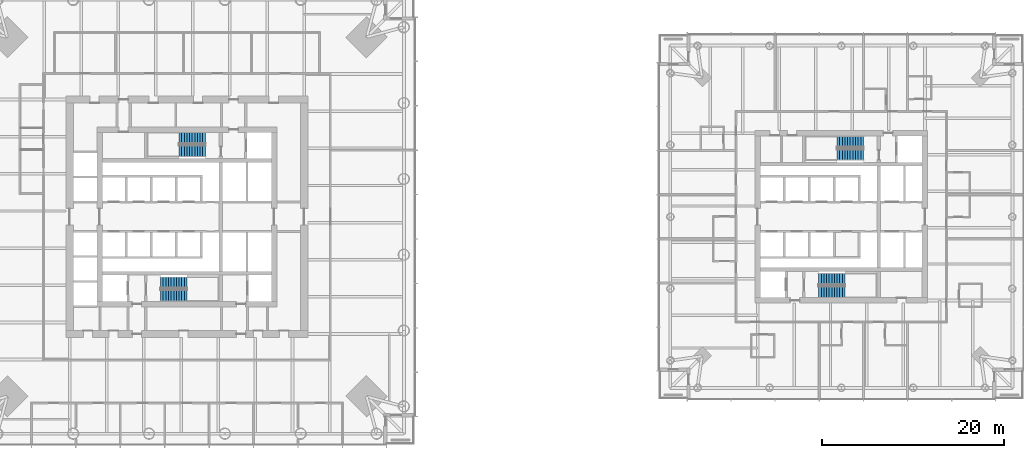
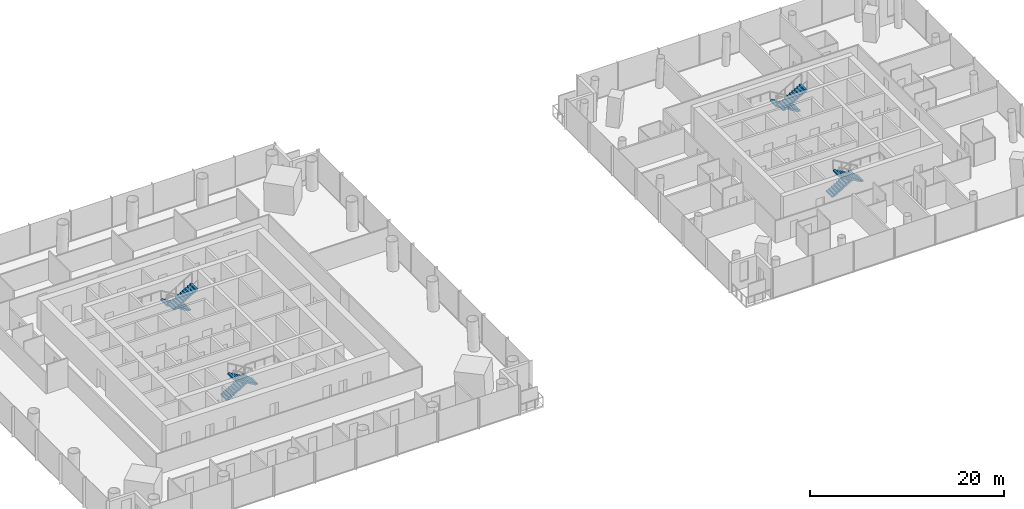
# One storey, part 17 of 19: 8 stair flights, 4 elements without a shape of their own.
"""IFC4 building model written with IfcOpenShell, lengths in metres."""

from ifc_helpers import new_model, si_unit, direction, frame, origin, place, context, subcontext, project, spatial, polyline, outline, extrude, material, type_object, element, aggregate, save


model = new_model("IFC4")

# Units and contexts
model_context = context("Model", 3, precision=1e-05, world=origin(), true_north=direction((0.0, 1.0)))
body_context = subcontext(model_context, "Body", "Model", "MODEL_VIEW")
ifc_project = project(units=[si_unit("LENGTHUNIT", "METRE"), si_unit("AREAUNIT", "SQUARE_METRE"), si_unit("VOLUMEUNIT", "CUBIC_METRE"), si_unit("PLANEANGLEUNIT", "RADIAN"), si_unit("MASSUNIT", "GRAM", prefix="KILO")], contexts=[model_context])

# Site, building, storey
site_placement = place(None, origin())
site = spatial("IfcSite", under=ifc_project, at=site_placement, CompositionType="ELEMENT")
building_placement = place(site_placement, origin())
building = spatial("IfcBuilding", under=site, at=building_placement, Name="Ostroluk Exchange", CompositionType="ELEMENT")
storey_placement = place(building_placement, frame((0.0, 0.0, 24.800048828125)))
storey = spatial("IfcBuildingStorey", under=building, at=storey_placement, Name="L05", CompositionType="ELEMENT", Elevation=24.800048828125)

# Stair, stair flights
ifc_material_1 = material(Name="Concrete C30/37", Category="concrete")
stair_type = type_object("IfcStairType", Name="Exit stair half turn 3800", PredefinedType="HALF_TURN_STAIR", material=ifc_material_1)
stair_1_placement = place(storey_placement, origin())
stair_1 = element("IfcStair", 1, at=stair_1_placement, inside=storey, type_object=stair_type, Name="Stair T1-S1 L05", PredefinedType="HALF_TURN_STAIR")
ifc_material_2 = material(Name="Concrete C30/37", Category="concrete")
stair_flight_type = type_object("IfcStairFlightType", Name="Stair flight 11 risers 172.7 x 290", PredefinedType="STRAIGHT", material=ifc_material_2)
stair_flight_1_placement = place(storey_placement, frame((42.10009765625, 38.77490234375, 0.0), z_axis=(0.0, 0.0, 1.0), x_axis=(1.0, 0.0, 0.0)))
stair_flight_1 = element("IfcStairFlight", 2, at=stair_flight_1_placement, type_object=stair_flight_type, Name="T1-S1 flight 1", NumberOfRisers=11, NumberOfTreads=10, PredefinedType="STRAIGHT", RiserHeight=0.172727273, TreadLength=0.29, context=body_context, shape_type="SweptSolid", body=[
    extrude(outline(polyline([(0.0, 0.0), (0.0, 0.172607421875), (0.2900390625, 0.172607421875), (0.2900390625, 0.345458984375), (0.580078125, 0.345458984375), (0.580078125, 0.51806640625), (0.8701171875, 0.51806640625), (0.8701171875, 0.69091796875), (1.159912109375, 0.69091796875), (1.159912109375, 0.863525390625), (1.449951171875, 0.863525390625), (1.449951171875, 1.036376953125), (1.739990234375, 1.036376953125), (1.739990234375, 1.208984375), (2.030029296875, 1.208984375), (2.030029296875, 1.3818359375), (2.320068359375, 1.3818359375), (2.320068359375, 1.554443359375), (2.610107421875, 1.554443359375), (2.610107421875, 1.727294921875), (2.89990234375, 1.727294921875), (2.89990234375, 1.89990234375), (2.89990234375, 1.552734375), (0.29296875, 0.0), (0.0, 0.0)])), frame((0.0, 0.625, 0.0), z_axis=(0.0, -1.0, 0.0), x_axis=(1.0, 0.0, 0.0)), (0.0, 0.0, 1.0), 1.25),
])
stair_flight_2_placement = place(storey_placement, frame((45.0, 37.324951171875, 1.89990234375), z_axis=(0.0, 0.0, 1.0), x_axis=(-1.0, 0.0, 0.0)))
stair_flight_2 = element("IfcStairFlight", 3, at=stair_flight_2_placement, type_object=stair_flight_type, Name="T1-S1 flight 2", NumberOfRisers=11, NumberOfTreads=10, PredefinedType="STRAIGHT", RiserHeight=0.172727273, TreadLength=0.29, context=body_context, shape_type="SweptSolid", body=[
    extrude(outline(polyline([(0.0, 0.0), (0.0, 0.172607421875), (0.2900390625, 0.172607421875), (0.2900390625, 0.345458984375), (0.580078125, 0.345458984375), (0.580078125, 0.51806640625), (0.8701171875, 0.51806640625), (0.8701171875, 0.69091796875), (1.159912109375, 0.69091796875), (1.159912109375, 0.863525390625), (1.449951171875, 0.863525390625), (1.449951171875, 1.036376953125), (1.739990234375, 1.036376953125), (1.739990234375, 1.208984375), (2.030029296875, 1.208984375), (2.030029296875, 1.3818359375), (2.320068359375, 1.3818359375), (2.320068359375, 1.554443359375), (2.610107421875, 1.554443359375), (2.610107421875, 1.727294921875), (2.89990234375, 1.727294921875), (2.89990234375, 1.89990234375), (2.89990234375, 1.552734375), (0.29296875, 0.0), (0.0, 0.0)])), frame((0.0, 0.625, 0.0), z_axis=(0.0, -1.0, 0.0), x_axis=(1.0, 0.0, 0.0)), (0.0, 0.0, 1.0), 1.25),
])
aggregate(stair_1, [stair_flight_1, stair_flight_2])

stair_2_placement = place(storey_placement, origin())
stair_2 = element("IfcStair", 4, at=stair_2_placement, inside=storey, type_object=stair_type, Name="Stair T1-S2 L05", PredefinedType="HALF_TURN_STAIR")
stair_flight_3_placement = place(storey_placement, frame((47.030029296875, 54.675048828125, 0.0), z_axis=(0.0, 0.0, 1.0), x_axis=(-1.0, 0.0, 0.0)))
stair_flight_3 = element("IfcStairFlight", 5, at=stair_flight_3_placement, type_object=stair_flight_type, Name="T1-S2 flight 1", NumberOfRisers=11, NumberOfTreads=10, PredefinedType="STRAIGHT", RiserHeight=0.172727273, TreadLength=0.29, context=body_context, shape_type="SweptSolid", body=[
    extrude(outline(polyline([(0.0, 0.0), (0.0, 0.172607421875), (0.2900390625, 0.172607421875), (0.2900390625, 0.345458984375), (0.580078125, 0.345458984375), (0.580078125, 0.51806640625), (0.8701171875, 0.51806640625), (0.8701171875, 0.69091796875), (1.159912109375, 0.69091796875), (1.159912109375, 0.863525390625), (1.449951171875, 0.863525390625), (1.449951171875, 1.036376953125), (1.739990234375, 1.036376953125), (1.739990234375, 1.208984375), (2.030029296875, 1.208984375), (2.030029296875, 1.3818359375), (2.320068359375, 1.3818359375), (2.320068359375, 1.554443359375), (2.610107421875, 1.554443359375), (2.610107421875, 1.727294921875), (2.89990234375, 1.727294921875), (2.89990234375, 1.89990234375), (2.89990234375, 1.552734375), (0.29296875, 0.0), (0.0, 0.0)])), frame((0.0, 0.625, 0.0), z_axis=(0.0, -1.0, 0.0), x_axis=(1.0, 0.0, 0.0)), (0.0, 0.0, 1.0), 1.25),
])
stair_flight_4_placement = place(storey_placement, frame((44.1298828125, 53.22509765625, 1.89990234375), z_axis=(0.0, 0.0, 1.0), x_axis=(1.0, 0.0, 0.0)))
stair_flight_4 = element("IfcStairFlight", 6, at=stair_flight_4_placement, type_object=stair_flight_type, Name="T1-S2 flight 2", NumberOfRisers=11, NumberOfTreads=10, PredefinedType="STRAIGHT", RiserHeight=0.172727273, TreadLength=0.29, context=body_context, shape_type="SweptSolid", body=[
    extrude(outline(polyline([(0.0, 0.0), (0.0, 0.172607421875), (0.2900390625, 0.172607421875), (0.2900390625, 0.345458984375), (0.580078125, 0.345458984375), (0.580078125, 0.51806640625), (0.8701171875, 0.51806640625), (0.8701171875, 0.69091796875), (1.159912109375, 0.69091796875), (1.159912109375, 0.863525390625), (1.449951171875, 0.863525390625), (1.449951171875, 1.036376953125), (1.739990234375, 1.036376953125), (1.739990234375, 1.208984375), (2.030029296875, 1.208984375), (2.030029296875, 1.3818359375), (2.320068359375, 1.3818359375), (2.320068359375, 1.554443359375), (2.610107421875, 1.554443359375), (2.610107421875, 1.727294921875), (2.89990234375, 1.727294921875), (2.89990234375, 1.89990234375), (2.89990234375, 1.552734375), (0.29296875, 0.0), (0.0, 0.0)])), frame((0.0, 0.625, 0.0), z_axis=(0.0, -1.0, 0.0), x_axis=(1.0, 0.0, 0.0)), (0.0, 0.0, 1.0), 1.25),
])
aggregate(stair_2, [stair_flight_3, stair_flight_4])

stair_3_placement = place(storey_placement, origin())
stair_3 = element("IfcStair", 7, at=stair_3_placement, inside=storey, type_object=stair_type, Name="Stair T2-S1 L05", PredefinedType="HALF_TURN_STAIR")
stair_flight_5_placement = place(storey_placement, frame((114.5, 39.175048828125, 0.0), z_axis=(0.0, 0.0, 1.0), x_axis=(1.0, 0.0, 0.0)))
stair_flight_5 = element("IfcStairFlight", 8, at=stair_flight_5_placement, type_object=stair_flight_type, Name="T2-S1 flight 1", NumberOfRisers=11, NumberOfTreads=10, PredefinedType="STRAIGHT", RiserHeight=0.172727273, TreadLength=0.29, context=body_context, shape_type="SweptSolid", body=[
    extrude(outline(polyline([(0.0, 0.0), (0.0, 0.172607421875), (0.2900390625, 0.172607421875), (0.2900390625, 0.345458984375), (0.580078125, 0.345458984375), (0.580078125, 0.51806640625), (0.8701171875, 0.51806640625), (0.8701171875, 0.69091796875), (1.159912109375, 0.69091796875), (1.159912109375, 0.863525390625), (1.449951171875, 0.863525390625), (1.449951171875, 1.036376953125), (1.739990234375, 1.036376953125), (1.739990234375, 1.208984375), (2.030029296875, 1.208984375), (2.030029296875, 1.3818359375), (2.320068359375, 1.3818359375), (2.320068359375, 1.554443359375), (2.610107421875, 1.554443359375), (2.610107421875, 1.727294921875), (2.89990234375, 1.727294921875), (2.89990234375, 1.89990234375), (2.89990234375, 1.552734375), (0.29296875, 0.0), (0.0, 0.0)])), frame((0.0, 0.625, 0.0), z_axis=(0.0, -1.0, 0.0), x_axis=(1.0, 0.0, 0.0)), (0.0, 0.0, 1.0), 1.25),
])
stair_flight_6_placement = place(storey_placement, frame((117.39990234375, 37.72509765625, 1.89990234375), z_axis=(0.0, 0.0, 1.0), x_axis=(-1.0, 0.0, 0.0)))
stair_flight_6 = element("IfcStairFlight", 9, at=stair_flight_6_placement, type_object=stair_flight_type, Name="T2-S1 flight 2", NumberOfRisers=11, NumberOfTreads=10, PredefinedType="STRAIGHT", RiserHeight=0.172727273, TreadLength=0.29, context=body_context, shape_type="SweptSolid", body=[
    extrude(outline(polyline([(0.0, 0.0), (0.0, 0.172607421875), (0.2900390625, 0.172607421875), (0.2900390625, 0.345458984375), (0.580078125, 0.345458984375), (0.580078125, 0.51806640625), (0.8701171875, 0.51806640625), (0.8701171875, 0.69091796875), (1.159912109375, 0.69091796875), (1.159912109375, 0.863525390625), (1.449951171875, 0.863525390625), (1.449951171875, 1.036376953125), (1.739990234375, 1.036376953125), (1.739990234375, 1.208984375), (2.030029296875, 1.208984375), (2.030029296875, 1.3818359375), (2.320068359375, 1.3818359375), (2.320068359375, 1.554443359375), (2.610107421875, 1.554443359375), (2.610107421875, 1.727294921875), (2.89990234375, 1.727294921875), (2.89990234375, 1.89990234375), (2.89990234375, 1.552734375), (0.29296875, 0.0), (0.0, 0.0)])), frame((0.0, 0.625, 0.0), z_axis=(0.0, -1.0, 0.0), x_axis=(1.0, 0.0, 0.0)), (0.0, 0.0, 1.0), 1.25),
])
aggregate(stair_3, [stair_flight_5, stair_flight_6])

stair_4_placement = place(storey_placement, origin())
stair_4 = element("IfcStair", 10, at=stair_4_placement, inside=storey, type_object=stair_type, Name="Stair T2-S2 L05", PredefinedType="HALF_TURN_STAIR")
stair_flight_7_placement = place(storey_placement, frame((119.429931640625, 54.27490234375, 0.0), z_axis=(0.0, 0.0, 1.0), x_axis=(-1.0, 0.0, 0.0)))
stair_flight_7 = element("IfcStairFlight", 11, at=stair_flight_7_placement, type_object=stair_flight_type, Name="T2-S2 flight 1", NumberOfRisers=11, NumberOfTreads=10, PredefinedType="STRAIGHT", RiserHeight=0.172727273, TreadLength=0.29, context=body_context, shape_type="SweptSolid", body=[
    extrude(outline(polyline([(0.0, 0.0), (0.0, 0.172607421875), (0.2900390625, 0.172607421875), (0.2900390625, 0.345458984375), (0.580078125, 0.345458984375), (0.580078125, 0.51806640625), (0.8701171875, 0.51806640625), (0.8701171875, 0.69091796875), (1.159912109375, 0.69091796875), (1.159912109375, 0.863525390625), (1.449951171875, 0.863525390625), (1.449951171875, 1.036376953125), (1.739990234375, 1.036376953125), (1.739990234375, 1.208984375), (2.030029296875, 1.208984375), (2.030029296875, 1.3818359375), (2.320068359375, 1.3818359375), (2.320068359375, 1.554443359375), (2.610107421875, 1.554443359375), (2.610107421875, 1.727294921875), (2.89990234375, 1.727294921875), (2.89990234375, 1.89990234375), (2.89990234375, 1.552734375), (0.29296875, 0.0), (0.0, 0.0)])), frame((0.0, 0.625, 0.0), z_axis=(0.0, -1.0, 0.0), x_axis=(1.0, 0.0, 0.0)), (0.0, 0.0, 1.0), 1.25),
])
stair_flight_8_placement = place(storey_placement, frame((116.530029296875, 52.824951171875, 1.89990234375), z_axis=(0.0, 0.0, 1.0), x_axis=(1.0, 0.0, 0.0)))
stair_flight_8 = element("IfcStairFlight", 12, at=stair_flight_8_placement, type_object=stair_flight_type, Name="T2-S2 flight 2", NumberOfRisers=11, NumberOfTreads=10, PredefinedType="STRAIGHT", RiserHeight=0.172727273, TreadLength=0.29, context=body_context, shape_type="SweptSolid", body=[
    extrude(outline(polyline([(0.0, 0.0), (0.0, 0.172607421875), (0.2900390625, 0.172607421875), (0.2900390625, 0.345458984375), (0.580078125, 0.345458984375), (0.580078125, 0.51806640625), (0.8701171875, 0.51806640625), (0.8701171875, 0.69091796875), (1.159912109375, 0.69091796875), (1.159912109375, 0.863525390625), (1.449951171875, 0.863525390625), (1.449951171875, 1.036376953125), (1.739990234375, 1.036376953125), (1.739990234375, 1.208984375), (2.030029296875, 1.208984375), (2.030029296875, 1.3818359375), (2.320068359375, 1.3818359375), (2.320068359375, 1.554443359375), (2.610107421875, 1.554443359375), (2.610107421875, 1.727294921875), (2.89990234375, 1.727294921875), (2.89990234375, 1.89990234375), (2.89990234375, 1.552734375), (0.29296875, 0.0), (0.0, 0.0)])), frame((0.0, 0.625, 0.0), z_axis=(0.0, -1.0, 0.0), x_axis=(1.0, 0.0, 0.0)), (0.0, 0.0, 1.0), 1.25),
])
aggregate(stair_4, [stair_flight_7, stair_flight_8])

save(model, "model.ifc")
